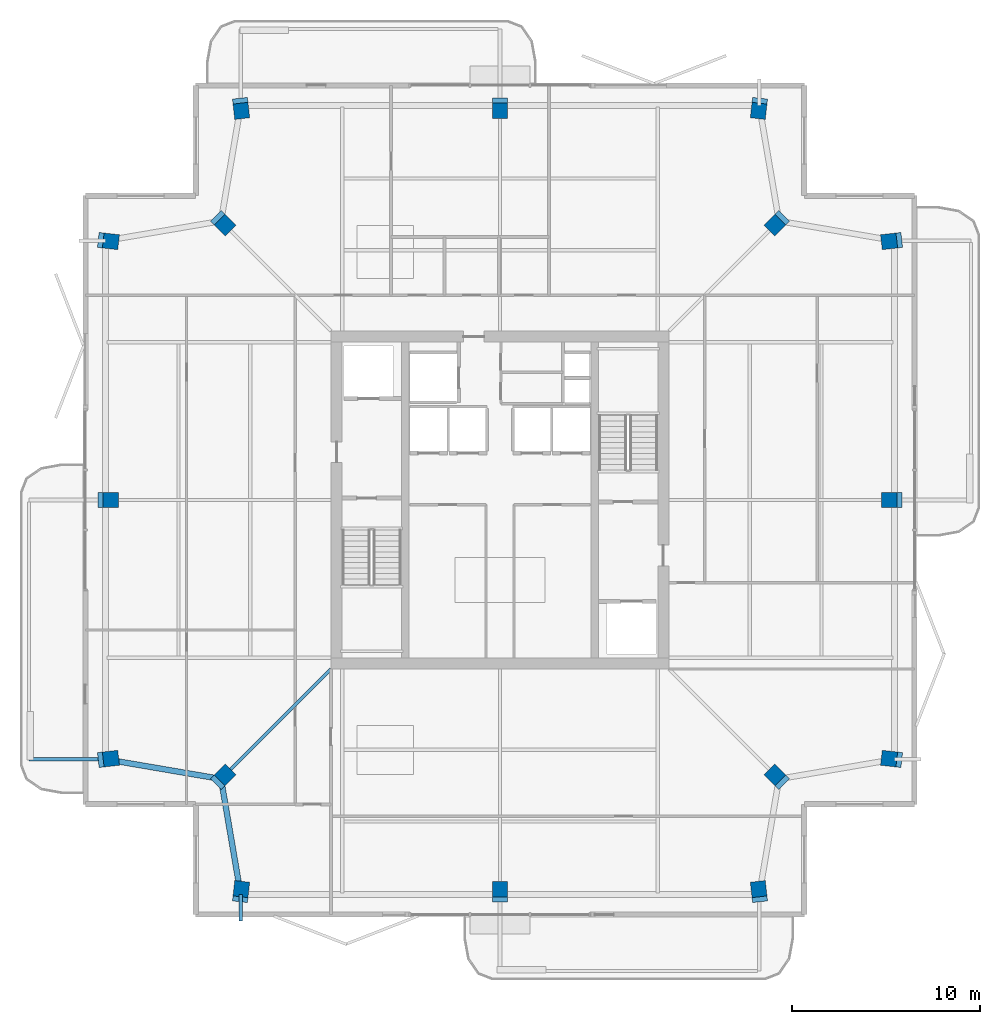
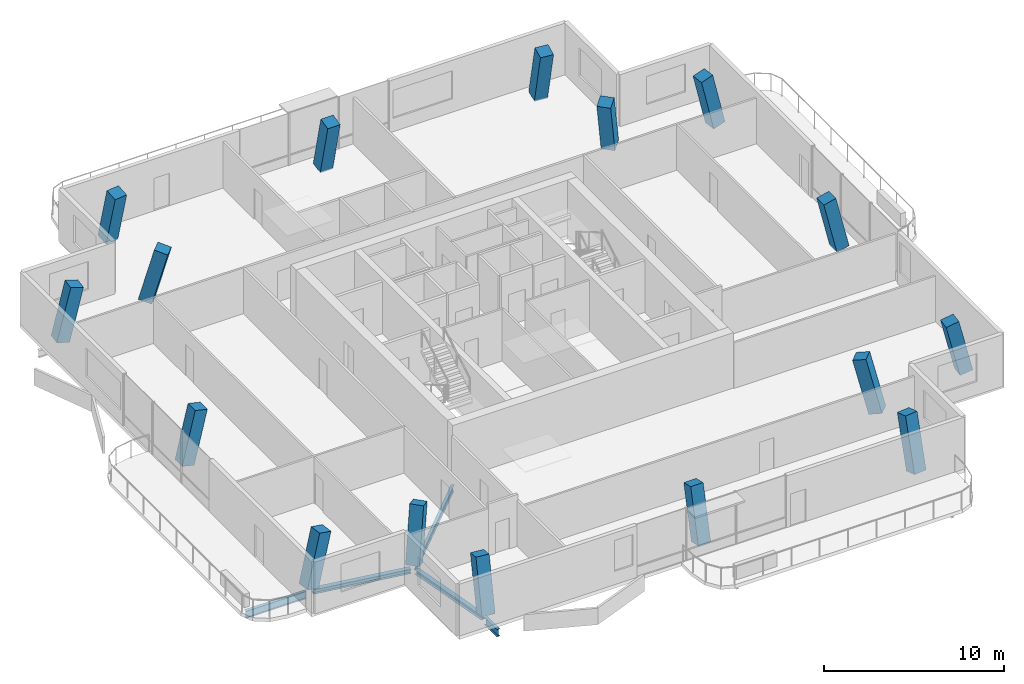
# One storey, part 1 of 19: 16 columns, 5 beams.
"""IFC4 building model written with IfcOpenShell, lengths in metres."""

import ifcopenshell
import ifcopenshell.guid

model = None  # the IFC model being written
_history = None  # IfcOwnerHistory: only IFC2X3 demands one
_inside = {}  # id of a spatial element -> (the spatial element, [elements in it])
_under = {}  # id of a project, library or spatial element -> (it, [spatial elements below it])
_declared = {}  # id of a project -> (the project, [libraries it declares])
_typed = {}  # id of a type object -> (the type object, [elements of that type])
_made_of = {}  # id of a material, layer set ... -> (it, [elements and type objects made of it])


def new_model(schema):
    """Start an empty IFC model of exactly this schema.

    Asked for "IFC4X3", IfcOpenShell would pick the latest addendum, in which some entities
    have other attributes; the version numbers below select the first issue.
    IFC2X3 requires an IfcOwnerHistory on every rooted entity: one is made here for all.
    """
    global model, _history
    if schema == "IFC4X3":
        model = ifcopenshell.file(schema_version=(4, 3, 0, 0))
    else:
        model = ifcopenshell.file(schema=schema)
    _inside.clear()
    _under.clear()
    _declared.clear()
    _typed.clear()
    _made_of.clear()
    _history = None
    if model.schema == "IFC2X3":
        org = make("IfcOrganization", Name="unknown")
        user = make(
            "IfcPersonAndOrganization",
            ThePerson=make("IfcPerson", FamilyName="unknown"),
            TheOrganization=org,
        )
        app = make(
            "IfcApplication",
            ApplicationDeveloper=org,
            Version="unknown",
            ApplicationFullName="unknown",
            ApplicationIdentifier="unknown",
        )
        _history = make(
            "IfcOwnerHistory",
            OwningUser=user,
            OwningApplication=app,
            ChangeAction="ADDED",
            CreationDate=0,
        )
    return model


def make(cls, **values):
    """One entity of the class cls with the attributes given. An attribute that is None is left unset."""
    return model.create_entity(
        cls, **{name: value for name, value in values.items() if value is not None}
    )


def rooted(cls, **values):
    """An entity with a GlobalId (a new one), such as an element, a storey or a relation."""
    return make(cls, GlobalId=ifcopenshell.guid.new(), OwnerHistory=_history, **values)


def si_unit(unit_type, name, prefix=None):
    """IfcSIUnit, for example si_unit("LENGTHUNIT", "METRE", prefix="MILLI")."""
    return make("IfcSIUnit", UnitType=unit_type, Prefix=prefix, Name=name)


def assignment(units):
    """IfcUnitAssignment: the units of a project."""
    return None if units is None else make("IfcUnitAssignment", Units=units)


def point(xyz):
    """IfcCartesianPoint."""
    return None if xyz is None else make("IfcCartesianPoint", Coordinates=xyz)


def direction(xyz):
    """IfcDirection."""
    return None if xyz is None else make("IfcDirection", DirectionRatios=xyz)


def frame(location, z_axis=None, x_axis=None):
    """IfcAxis2Placement3D, a coordinate frame: its origin and axes. An axis left out is left unset."""
    return make(
        "IfcAxis2Placement3D",
        Location=point(location),
        Axis=direction(z_axis),
        RefDirection=direction(x_axis),
    )


def frame_2d(location, x_axis=None):
    """IfcAxis2Placement2D, a coordinate frame in the plane: its origin and x axis."""
    return make(
        "IfcAxis2Placement2D", Location=point(location), RefDirection=direction(x_axis)
    )


def origin():
    """The frame at (0, 0, 0) with its axes left unset."""
    return frame((0.0, 0.0, 0.0))


def origin_2d():
    """The frame at (0, 0) in the plane with its x axis left unset."""
    return frame_2d((0.0, 0.0))


def place(relative_to, where):
    """IfcLocalPlacement: puts the frame where relative to a parent placement (None: the world)."""
    return make(
        "IfcLocalPlacement", PlacementRelTo=relative_to, RelativePlacement=where
    )


def context(
    kind, dimensions, precision=None, world=None, true_north=None, identifier=None
):
    """IfcGeometricRepresentationContext, for example the 3D "Model" context."""
    return make(
        "IfcGeometricRepresentationContext",
        ContextIdentifier=identifier,
        ContextType=kind,
        CoordinateSpaceDimension=dimensions,
        Precision=precision,
        WorldCoordinateSystem=world,
        TrueNorth=true_north,
    )


def subcontext(parent, identifier, kind, view, scale=None):
    """IfcGeometricRepresentationSubContext, for example "Body" below "Model"."""
    return make(
        "IfcGeometricRepresentationSubContext",
        ContextIdentifier=identifier,
        ContextType=kind,
        ParentContext=parent,
        TargetScale=scale,
        TargetView=view,
    )


def project(units=None, contexts=None):
    """IfcProject with its units and contexts."""
    return rooted(
        "IfcProject",
        Name="project",
        RepresentationContexts=contexts,
        UnitsInContext=assignment(units),
    )


def spatial(cls, under=None, at=None, **own):
    """A site, building, storey or space (cls), placed at a placement, below another one or the project."""
    s = rooted(cls, ObjectPlacement=at, **own)
    if under is not None:
        _under.setdefault(under.id(), (under, []))[1].append(s)
    return s


def profile(cls, at=None, kind="AREA", **sizes):
    """A parametric profile (cls). Its sizes go by their IFC names, for example OverallWidth=200.0."""
    return make(cls, ProfileType=kind, Position=at, **sizes)


def rectangle(**sizes):
    """IfcRectangleProfileDef."""
    return profile("IfcRectangleProfileDef", **sizes)


def i_section(**sizes):
    """IfcIShapeProfileDef."""
    return profile("IfcIShapeProfileDef", **sizes)


def extrude(swept, where, along, depth):
    """IfcExtrudedAreaSolid: the profile swept, set in the frame where, extruded along a direction by depth."""
    return make(
        "IfcExtrudedAreaSolid",
        SweptArea=swept,
        Position=where,
        ExtrudedDirection=direction(along),
        Depth=depth,
    )


def shape(context_of_items, identifier, shape_type, items):
    """IfcShapeRepresentation: the items that make up one representation, for example the "Body"."""
    return make(
        "IfcShapeRepresentation",
        ContextOfItems=context_of_items,
        RepresentationIdentifier=identifier,
        RepresentationType=shape_type,
        Items=items,
    )


def material(Name=None, Category=None):
    """IfcMaterial."""
    return make("IfcMaterial", Name=Name, Category=Category)


def material_profile(
    of_material, cross_section, Name=None, Category=None, Priority=None
):
    """IfcMaterialProfile: a cross section and its material."""
    return make(
        "IfcMaterialProfile",
        Name=Name,
        Material=of_material,
        Profile=cross_section,
        Priority=Priority,
        Category=Category,
    )


def profile_set(profiles, Name=None, composite=None):
    """IfcMaterialProfileSet."""
    return make(
        "IfcMaterialProfileSet",
        Name=Name,
        MaterialProfiles=profiles,
        CompositeProfile=composite,
    )


def made_of(thing, what):
    """Note that an element or type object is made of a material, layer set ...; save() writes the relation."""
    if what is not None:
        _made_of.setdefault(what.id(), (what, []))[1].append(thing)
    return thing


def type_object(cls, material=None, **own):
    """A type object (cls), such as IfcWallType, which elements share."""
    return made_of(rooted(cls, **own), material)


def element(
    cls,
    number,
    at=None,
    inside=None,
    cuts=None,
    type_object=None,
    material=None,
    context=None,
    identifier="Body",
    shape_type=None,
    held_by="IfcProductDefinitionShape",
    body=None,
    shapes=None,
    **own,
):
    """One element of the class cls, such as IfcWall. Its Tag is "e" and its number.

    at: its placement. inside: the storey or other place that contains it. cuts: it is an
    opening in that element (IfcRelVoidsElement). A single representation is given by context,
    identifier, shape_type and body (its items); several are given by shapes. held_by: the class
    of the entity that holds the representations. save() writes the other relations.
    """
    e = rooted(cls, Tag="e%d" % number, ObjectPlacement=at, **own)
    if body is not None:
        shapes = [shape(context, identifier, shape_type, body)]
    if shapes is not None:
        e.Representation = make(held_by, Representations=shapes)
    if inside is not None:
        _inside.setdefault(inside.id(), (inside, []))[1].append(e)
    if cuts is not None:
        rooted(
            "IfcRelVoidsElement", RelatingBuildingElement=cuts, RelatedOpeningElement=e
        )
    if type_object is not None:
        _typed.setdefault(type_object.id(), (type_object, []))[1].append(e)
    return made_of(e, material)


def aggregate(whole, parts):
    """IfcRelAggregates: a whole, such as a stair, and the parts it consists of."""
    return rooted("IfcRelAggregates", RelatingObject=whole, RelatedObjects=parts)


def save(model, path):
    """Write the relations noted so far, then the file.

    IfcRelAggregates (storeys below a building ...), IfcRelContainedInSpatialStructure (elements
    in a storey), IfcRelDefinesByType, IfcRelAssociatesMaterial and IfcRelDeclares: one each for
    every whole, place, type object, material and project.
    """
    for whole, parts in _under.values():
        aggregate(whole, parts)
    for where, things in _inside.values():
        rooted(
            "IfcRelContainedInSpatialStructure",
            RelatedElements=things,
            RelatingStructure=where,
        )
    for kind, things in _typed.values():
        rooted("IfcRelDefinesByType", RelatedObjects=things, RelatingType=kind)
    for what, things in _made_of.values():
        rooted("IfcRelAssociatesMaterial", RelatedObjects=things, RelatingMaterial=what)
    for by, libraries in _declared.values():
        rooted("IfcRelDeclares", RelatingContext=by, RelatedDefinitions=libraries)
    model.write(path)


model = new_model("IFC4")

# Units and contexts
model_context = context("Model", 3, precision=1e-05, world=origin(), true_north=direction((0.0, 1.0)))
body_context = subcontext(model_context, "Body", "Model", "MODEL_VIEW")
ifc_project = project(units=[si_unit("LENGTHUNIT", "METRE"), si_unit("AREAUNIT", "SQUARE_METRE"), si_unit("VOLUMEUNIT", "CUBIC_METRE"), si_unit("PLANEANGLEUNIT", "RADIAN"), si_unit("MASSUNIT", "GRAM", prefix="KILO")], contexts=[model_context])

# Site, building, storey
site_placement = place(None, origin())
site = spatial("IfcSite", under=ifc_project, at=site_placement, CompositionType="ELEMENT")
building_placement = place(site_placement, origin())
building = spatial("IfcBuilding", under=site, at=building_placement, Name="Belovzor Exchange Tower", CompositionType="ELEMENT")
storey_placement = place(building_placement, frame((0.0, 0.0, 340.5)))
storey = spatial("IfcBuildingStorey", under=building, at=storey_placement, Name="L85", CompositionType="ELEMENT", Elevation=340.5)

# Columns
ifc_material_1 = material(Name="Concrete C50/60", Category="concrete")
ifc_material_profile_1 = material_profile(ifc_material_1, rectangle(XDim=0.800048828125, YDim=0.800048828125, at=origin_2d()))
ifc_profile_set_1 = profile_set([ifc_material_profile_1], Name="Concrete C50/60")
column_type = type_object("IfcColumnType", Name="Reinforced Concrete Tower Column 800x800", PredefinedType="COLUMN", material=ifc_profile_set_1)
column_1_placement = place(storey_placement, frame((15.0, 7.801025390625, 0.0029296875), z_axis=(0.026074003672, 0.233311539355, 0.972052401847), x_axis=(-0.993813171993, 0.111064752168, 0.0)))
element("IfcColumn", 1, at=column_1_placement, inside=storey, type_object=column_type, Name="COL-T080 Reinforced Concrete Tower Column 800x800", PredefinedType="COLUMN", context=body_context, shape_type="SweptSolid", body=[
    extrude(rectangle(XDim=0.800048828125, YDim=0.800048828125, at=origin_2d()), origin(), (0.0, 0.0, 1.0), 3.60498046875),
])
column_2_placement = place(storey_placement, frame((28.800048828125, 7.801025390625, 0.0029296875), z_axis=(0.0, 0.23339088867, 0.972382997119), x_axis=(-1.0, 0.0, 0.0)))
element("IfcColumn", 2, at=column_2_placement, inside=storey, type_object=column_type, Name="COL-T080 Reinforced Concrete Tower Column 800x800", PredefinedType="COLUMN", context=body_context, shape_type="SweptSolid", body=[
    extrude(rectangle(XDim=0.800048828125, YDim=0.800048828125, at=origin_2d()), origin(), (0.0, 0.0, 1.0), 3.603759765625),
])
for number, where, z_axis, x_axis, name in (
    (3, (42.60009765625, 7.801025390625, 0.0029296875), (-0.026074003672, 0.233311539355, 0.972052401847), (-0.993813171993, -0.111064752168, 0.0), "COL-T080 Reinforced Concrete Tower Column 800x800"),
    (4, (49.799072265625, 15.0, 0.0029296875), (-0.233311539355, 0.026074003672, 0.972052401847), (-0.111064752168, -0.993813171993, 0.0), "COL-T080 Reinforced Concrete Tower Column 800x800"),
):
    element("IfcColumn", number, at=place(storey_placement, frame(where, z_axis=z_axis, x_axis=x_axis)), inside=storey, type_object=column_type, Name=name, PredefinedType="COLUMN", context=body_context, shape_type="SweptSolid", body=[
        extrude(rectangle(XDim=0.800048828125, YDim=0.800048828125, at=origin_2d()), origin(), (0.0, 0.0, 1.0), 3.60498046875),
    ])
column_3_placement = place(storey_placement, frame((49.799072265625, 28.800048828125, 0.0029296875), z_axis=(-0.23339088867, 0.0, 0.972382997119), x_axis=(0.0, -1.0, 0.0)))
element("IfcColumn", 5, at=column_3_placement, inside=storey, type_object=column_type, Name="COL-T080 Reinforced Concrete Tower Column 800x800", PredefinedType="COLUMN", context=body_context, shape_type="SweptSolid", body=[
    extrude(rectangle(XDim=0.800048828125, YDim=0.800048828125, at=origin_2d()), origin(), (0.0, 0.0, 1.0), 3.603759765625),
])
for number, where, z_axis, x_axis, name in (
    (6, (49.799072265625, 42.60009765625, 0.0029296875), (-0.233311539355, -0.026074003672, 0.972052401847), (0.111064752168, -0.993813171993, 0.0), "COL-T080 Reinforced Concrete Tower Column 800x800"),
    (7, (42.60009765625, 49.799072265625, 0.0029296875), (-0.026074003672, -0.233311539355, 0.972052401847), (0.993813171993, -0.111064752168, 0.0), "COL-T080 Reinforced Concrete Tower Column 800x800"),
):
    element("IfcColumn", number, at=place(storey_placement, frame(where, z_axis=z_axis, x_axis=x_axis)), inside=storey, type_object=column_type, Name=name, PredefinedType="COLUMN", context=body_context, shape_type="SweptSolid", body=[
        extrude(rectangle(XDim=0.800048828125, YDim=0.800048828125, at=origin_2d()), origin(), (0.0, 0.0, 1.0), 3.60498046875),
    ])
column_4_placement = place(storey_placement, frame((28.800048828125, 49.799072265625, 0.0029296875), z_axis=(0.0, -0.23339088867, 0.972382997119), x_axis=(1.0, 0.0, 0.0)))
element("IfcColumn", 8, at=column_4_placement, inside=storey, type_object=column_type, Name="COL-T080 Reinforced Concrete Tower Column 800x800", PredefinedType="COLUMN", context=body_context, shape_type="SweptSolid", body=[
    extrude(rectangle(XDim=0.800048828125, YDim=0.800048828125, at=origin_2d()), origin(), (0.0, 0.0, 1.0), 3.603759765625),
])
for number, where, z_axis, x_axis, name in (
    (9, (15.0, 49.799072265625, 0.0029296875), (0.026074003672, -0.233311539355, 0.972052401847), (0.993813171993, 0.111064752168, 0.0), "COL-T080 Reinforced Concrete Tower Column 800x800"),
    (10, (7.801025390625, 42.60009765625, 0.0029296875), (0.233311539355, -0.026074003672, 0.972052401847), (0.111064752168, 0.993813171993, 0.0), "COL-T080 Reinforced Concrete Tower Column 800x800"),
):
    element("IfcColumn", number, at=place(storey_placement, frame(where, z_axis=z_axis, x_axis=x_axis)), inside=storey, type_object=column_type, Name=name, PredefinedType="COLUMN", context=body_context, shape_type="SweptSolid", body=[
        extrude(rectangle(XDim=0.800048828125, YDim=0.800048828125, at=origin_2d()), origin(), (0.0, 0.0, 1.0), 3.60498046875),
    ])
column_5_placement = place(storey_placement, frame((7.801025390625, 28.800048828125, 0.0029296875), z_axis=(0.23339088867, 0.0, 0.972382997119), x_axis=(0.0, 1.0, 0.0)))
element("IfcColumn", 11, at=column_5_placement, inside=storey, type_object=column_type, Name="COL-T080 Reinforced Concrete Tower Column 800x800", PredefinedType="COLUMN", context=body_context, shape_type="SweptSolid", body=[
    extrude(rectangle(XDim=0.800048828125, YDim=0.800048828125, at=origin_2d()), origin(), (0.0, 0.0, 1.0), 3.603759765625),
])
column_6_placement = place(storey_placement, frame((7.801025390625, 15.0, 0.0029296875), z_axis=(0.233311539355, 0.026074003672, 0.972052401847), x_axis=(-0.111064752168, 0.993813171993, 0.0)))
element("IfcColumn", 12, at=column_6_placement, inside=storey, type_object=column_type, Name="COL-T080 Reinforced Concrete Tower Column 800x800", PredefinedType="COLUMN", context=body_context, shape_type="SweptSolid", body=[
    extrude(rectangle(XDim=0.800048828125, YDim=0.800048828125, at=origin_2d()), origin(), (0.0, 0.0, 1.0), 3.60498046875),
])
column_7_placement = place(storey_placement, frame((13.950927734375, 13.950927734375, 0.0029296875), z_axis=(0.180469443862, 0.180469443862, 0.966882391847), x_axis=(-0.707106781187, 0.707106781187, 0.0)))
element("IfcColumn", 13, at=column_7_placement, inside=storey, type_object=column_type, Name="COL-T080 Reinforced Concrete Tower Column 800x800", PredefinedType="COLUMN", context=body_context, shape_type="SweptSolid", body=[
    extrude(rectangle(XDim=0.800048828125, YDim=0.800048828125, at=origin_2d()), origin(), (0.0, 0.0, 1.0), 3.624267578125),
])
for number, where, z_axis, x_axis, name in (
    (14, (43.64892578125, 13.950927734375, 0.0029296875), (-0.180404272202, 0.180471637502, 0.966894144479), (-0.70723876565, -0.706974772083, 0.0), "COL-T080 Reinforced Concrete Tower Column 800x800"),
    (15, (43.64892578125, 43.64892578125, 0.0029296875), (-0.180406465102, -0.180406465102, 0.96690589754), (0.707106781187, -0.707106781187, 0.0), "COL-T080 Reinforced Concrete Tower Column 800x800"),
    (16, (13.950927734375, 43.64892578125, 0.0029296875), (0.180471637502, -0.180404272202, 0.966894144479), (0.706974772083, 0.70723876565, 0.0), "COL-T080 Reinforced Concrete Tower Column 800x800"),
):
    element("IfcColumn", number, at=place(storey_placement, frame(where, z_axis=z_axis, x_axis=x_axis)), inside=storey, type_object=column_type, Name=name, PredefinedType="COLUMN", context=body_context, shape_type="SweptSolid", body=[
        extrude(rectangle(XDim=0.800048828125, YDim=0.800048828125, at=origin_2d()), origin(), (0.0, 0.0, 1.0), 3.6240234375),
    ])

# Beams
ifc_material_2 = material(Name="Steel S355", Category="steel")
ifc_material_profile_2 = material_profile(ifc_material_2, i_section(OverallWidth=0.199951171875, OverallDepth=0.5, WebThickness=0.01025390625, FlangeThickness=0.01611328125, at=origin_2d()))
ifc_profile_set_2 = profile_set([ifc_material_profile_2], Name="Steel S355")
beam_type_1 = type_object("IfcBeamType", Name="Planted Balcony Cantilever Beam IPE 500", PredefinedType="BEAM", material=ifc_profile_set_2)
beam_1_placement = place(storey_placement, frame((7.580078125, 15.0, -0.489990234375), z_axis=(-1.0, 0.0, 0.0), x_axis=(0.0, -1.0, 0.0)))
element("IfcBeam", 17, at=beam_1_placement, inside=storey, type_object=beam_type_1, Name="BC-500 Planted Balcony Cantilever Beam IPE 500", PredefinedType="BEAM", context=body_context, shape_type="SweptSolid", body=[
    extrude(i_section(OverallWidth=0.199951171875, OverallDepth=0.5, WebThickness=0.01025390625, FlangeThickness=0.01611328125, at=origin_2d()), origin(), (0.0, 0.0, 1.0), 3.85009765625),
])
beam_2_placement = place(storey_placement, frame((15.0, 7.800048828125, -0.489990234375), z_axis=(0.0, -1.0, 0.0), x_axis=(1.0, 0.0, 0.0)))
element("IfcBeam", 18, at=beam_2_placement, inside=storey, type_object=beam_type_1, Name="BC-500 Planted Balcony Cantilever Beam IPE 500", PredefinedType="BEAM", context=body_context, shape_type="SweptSolid", body=[
    extrude(i_section(OverallWidth=0.199951171875, OverallDepth=0.5, WebThickness=0.01025390625, FlangeThickness=0.01611328125, at=origin_2d()), origin(), (0.0, 0.0, 1.0), 1.400146484375),
])
ifc_material_3 = material(Name="Steel S355", Category="steel")
ifc_material_profile_3 = material_profile(ifc_material_3, i_section(OverallWidth=0.179931640625, OverallDepth=0.39990234375, WebThickness=0.008544921875, FlangeThickness=0.013427734375, at=origin_2d()))
ifc_profile_set_3 = profile_set([ifc_material_profile_3], Name="Steel S355")
beam_type_2 = type_object("IfcBeamType", Name="Zone 5-6 Radial Composite Floor Beam IPE 400", PredefinedType="BEAM", material=ifc_profile_set_3)
beam_3_placement = place(storey_placement, frame((19.800048828125, 19.800048828125, -0.43994140625), z_axis=(-0.707106781187, -0.707106781187, 0.0), x_axis=(0.707106781187, -0.707106781187, 0.0)))
element("IfcBeam", 19, at=beam_3_placement, inside=storey, type_object=beam_type_2, Name="FB-400 Zone 5-6 Radial Composite Floor Beam IPE 400", PredefinedType="BEAM", context=body_context, shape_type="SweptSolid", body=[
    extrude(i_section(OverallWidth=0.179931640625, OverallDepth=0.39990234375, WebThickness=0.008544921875, FlangeThickness=0.013427734375, at=origin_2d()), origin(), (0.0, 0.0, 1.0), 7.990478515625),
])
ifc_material_4 = material(Name="Steel S355", Category="steel")
ifc_material_profile_4 = material_profile(ifc_material_4, i_section(OverallWidth=0.300048828125, OverallDepth=0.300048828125, WebThickness=0.008544921875, FlangeThickness=0.013916015625, at=origin_2d()))
ifc_profile_set_4 = profile_set([ifc_material_profile_4], Name="Steel S355")
beam_type_3 = type_object("IfcBeamType", Name="Zone 6 Primary Girder HEA 300", PredefinedType="BEAM", material=ifc_profile_set_4)
for number, where, z_axis, x_axis, name in (
    (20, (13.987060546875, 13.73291015625, -0.389892578125), (0.168289478013, -0.985737618025, 0.0), (0.985737618025, 0.168289478013, 0.0), "FG-Z6 Zone 6 Primary Girder HEA 300"),
    (21, (8.01708984375, 14.962890625, -0.389892578125), (0.985737618025, -0.168289478013, 0.0), (0.168289478013, 0.985737618025, 0.0), "FG-Z6 Zone 6 Primary Girder HEA 300"),
):
    element("IfcBeam", number, at=place(storey_placement, frame(where, z_axis=z_axis, x_axis=x_axis)), inside=storey, type_object=beam_type_3, Name=name, PredefinedType="BEAM", context=body_context, shape_type="SweptSolid", body=[
        extrude(i_section(OverallWidth=0.300048828125, OverallDepth=0.300048828125, WebThickness=0.008544921875, FlangeThickness=0.013916015625, at=origin_2d()), origin(), (0.0, 0.0, 1.0), 5.798583984375),
    ])

save(model, "model.ifc")
